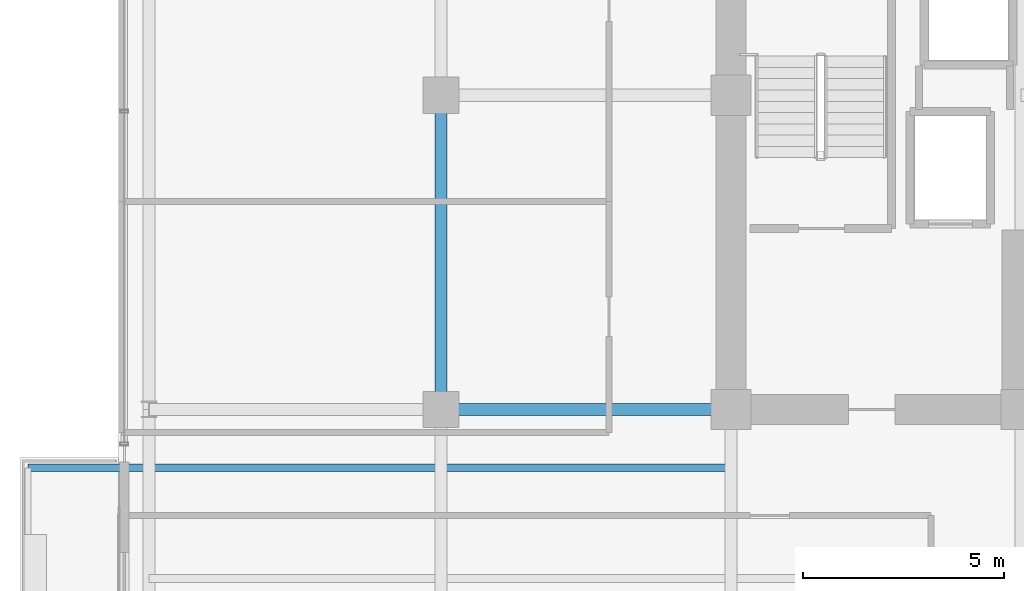
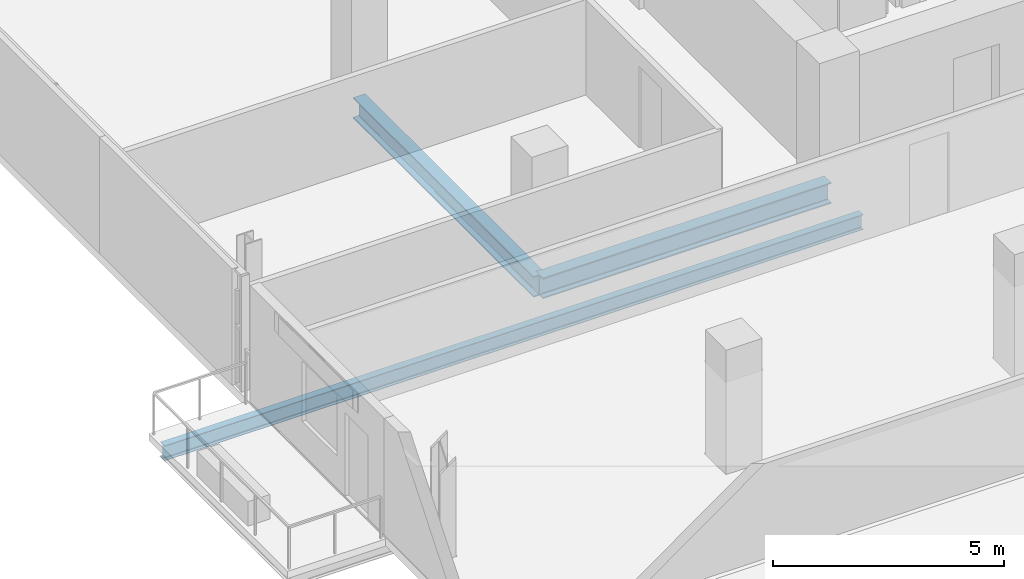
# One storey, part 7 of 28: 3 beams.
"""IFC4 building model written with IfcOpenShell, lengths in metres."""

from ifc_helpers import new_model, si_unit, direction, frame, origin, origin_2d, place, context, subcontext, project, spatial, i_section, extrude, material, material_profile, profile_set, type_object, element, save


model = new_model("IFC4")

# Units and contexts
model_context = context("Model", 3, precision=1e-05, world=origin(), true_north=direction((0.0, 1.0)))
body_context = subcontext(model_context, "Body", "Model", "MODEL_VIEW")
ifc_project = project(units=[si_unit("LENGTHUNIT", "METRE"), si_unit("AREAUNIT", "SQUARE_METRE"), si_unit("VOLUMEUNIT", "CUBIC_METRE"), si_unit("PLANEANGLEUNIT", "RADIAN"), si_unit("MASSUNIT", "GRAM", prefix="KILO")], contexts=[model_context])

# Site, building, storey
site_placement = place(None, origin())
site = spatial("IfcSite", under=ifc_project, at=site_placement, CompositionType="ELEMENT")
building_placement = place(site_placement, origin())
building = spatial("IfcBuilding", under=site, at=building_placement, Name="Zarnakvel Exchange Tower", CompositionType="ELEMENT")
storey_placement = place(building_placement, frame((0.0, 0.0, 90.10009765625)))
storey = spatial("IfcBuildingStorey", under=building, at=storey_placement, Name="L24", CompositionType="ELEMENT", Elevation=90.10009765625)

# Beams
ifc_material = material(Name="Steel S355", Category="steel")
ifc_material_profile_1 = material_profile(ifc_material, i_section(OverallWidth=0.179931640625, OverallDepth=0.39990234375, WebThickness=0.008544921875, FlangeThickness=0.013427734375, FilletRadius=0.02099609375, at=origin_2d()))
ifc_profile_set_1 = profile_set([ifc_material_profile_1], Name="Steel S355")
beam_type_1 = type_object("IfcBeamType", Name="B-06", PredefinedType="JOIST", material=ifc_profile_set_1)
beam_1_placement = place(storey_placement, frame((-14.39990234375, -2.64990234375, -0.425048828125), z_axis=(-1.0, 0.0, 0.0), x_axis=(0.0, -1.0, 0.0)))
element("IfcBeam", 1, at=beam_1_placement, inside=storey, type_object=beam_type_1, Name="L24 Continuous West Loggia Beam N", PredefinedType="JOIST", context=body_context, shape_type="SweptSolid", body=[
    extrude(i_section(OverallWidth=0.179931640625, OverallDepth=0.39990234375, WebThickness=0.008544921875, FlangeThickness=0.013427734375, FilletRadius=0.02099609375, at=origin_2d()), origin(), (0.0, 0.0, 1.0), 17.4501953125),
])
ifc_material_profile_2 = material_profile(ifc_material, i_section(OverallWidth=0.300048828125, OverallDepth=0.550048828125, WebThickness=0.014892578125, FlangeThickness=0.029052734375, FilletRadius=0.027099609375, at=origin_2d()))
ifc_profile_set_2 = profile_set([ifc_material_profile_2], Name="Steel S355")
beam_type_2 = type_object("IfcBeamType", Name="G-05", PredefinedType="BEAM", material=ifc_profile_set_2)
beam_2_placement = place(storey_placement, frame((-21.60009765625, -1.199951171875, -0.5), z_axis=(1.0, 0.0, 0.0), x_axis=(0.0, 1.0, 0.0)))
element("IfcBeam", 2, at=beam_2_placement, inside=storey, type_object=beam_type_2, Name="L24 Tower E-W Frame Beam", PredefinedType="BEAM", context=body_context, shape_type="SweptSolid", body=[
    extrude(i_section(OverallWidth=0.300048828125, OverallDepth=0.550048828125, WebThickness=0.014892578125, FlangeThickness=0.029052734375, FilletRadius=0.027099609375, at=origin_2d()), origin(), (0.0, 0.0, 1.0), 7.2001953125),
])
beam_3_placement = place(storey_placement, frame((-21.60009765625, -1.199951171875, -0.5), z_axis=(0.0, 1.0, 0.0), x_axis=(-1.0, 0.0, 0.0)))
element("IfcBeam", 3, at=beam_3_placement, inside=storey, type_object=beam_type_2, Name="L24 Tower N-S Frame Beam", PredefinedType="BEAM", context=body_context, shape_type="SweptSolid", body=[
    extrude(i_section(OverallWidth=0.300048828125, OverallDepth=0.550048828125, WebThickness=0.014892578125, FlangeThickness=0.029052734375, FilletRadius=0.027099609375, at=origin_2d()), origin(), (0.0, 0.0, 1.0), 7.800048828125),
])

save(model, "model.ifc")
